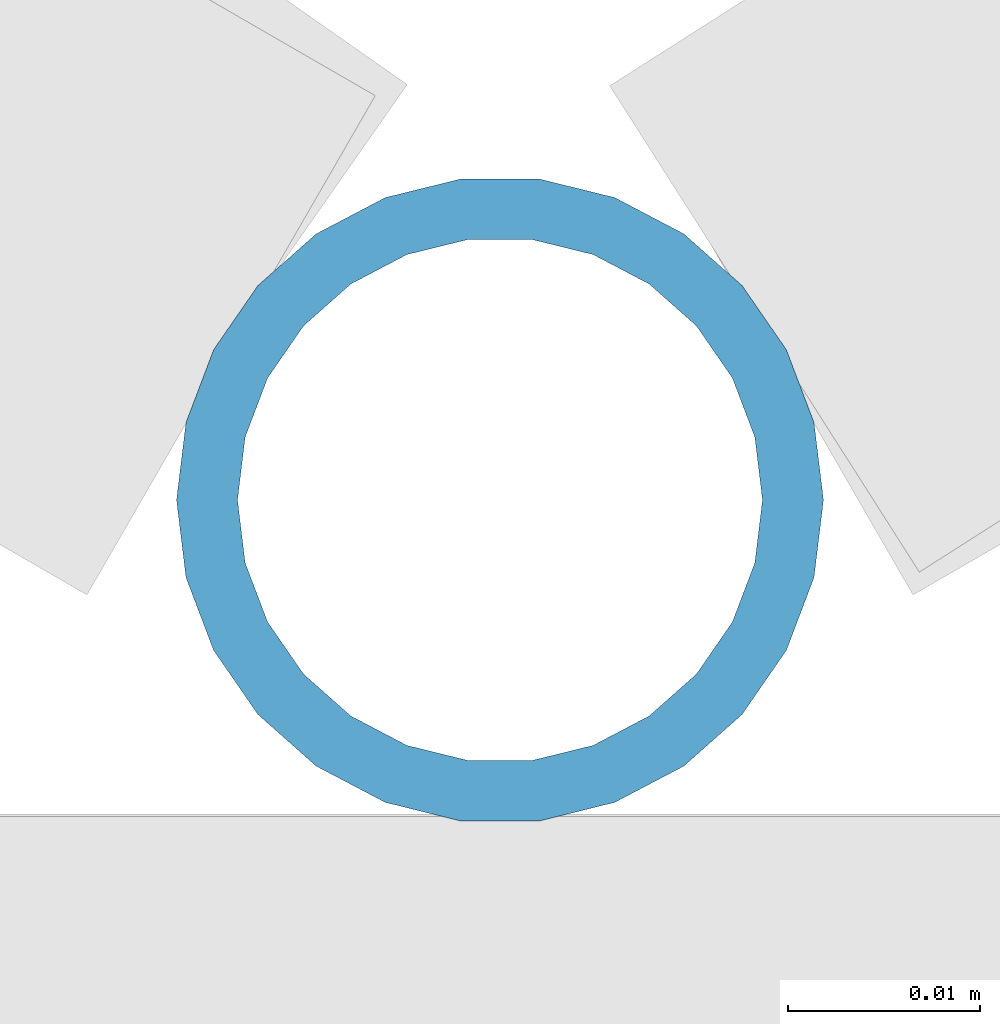
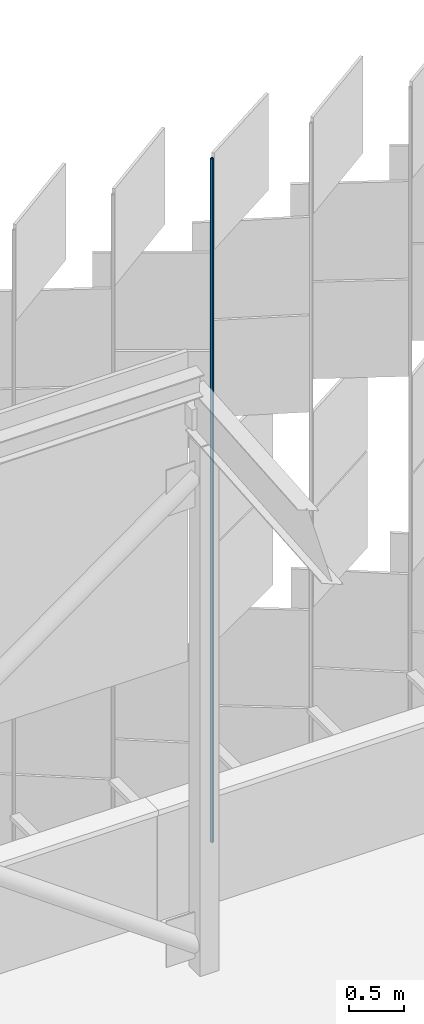
# One storey, part 381 of 483: 1 discrete accessory.
"""IFC4 building model written with IfcOpenShell, lengths in metres."""

import ifcopenshell
import ifcopenshell.guid

model = None  # the IFC model being written
_history = None  # IfcOwnerHistory: only IFC2X3 demands one
_inside = {}  # id of a spatial element -> (the spatial element, [elements in it])
_under = {}  # id of a project, library or spatial element -> (it, [spatial elements below it])
_declared = {}  # id of a project -> (the project, [libraries it declares])
_typed = {}  # id of a type object -> (the type object, [elements of that type])
_made_of = {}  # id of a material, layer set ... -> (it, [elements and type objects made of it])


def new_model(schema):
    """Start an empty IFC model of exactly this schema.

    Asked for "IFC4X3", IfcOpenShell would pick the latest addendum, in which some entities
    have other attributes; the version numbers below select the first issue.
    IFC2X3 requires an IfcOwnerHistory on every rooted entity: one is made here for all.
    """
    global model, _history
    if schema == "IFC4X3":
        model = ifcopenshell.file(schema_version=(4, 3, 0, 0))
    else:
        model = ifcopenshell.file(schema=schema)
    _inside.clear()
    _under.clear()
    _declared.clear()
    _typed.clear()
    _made_of.clear()
    _history = None
    if model.schema == "IFC2X3":
        org = make("IfcOrganization", Name="unknown")
        user = make(
            "IfcPersonAndOrganization",
            ThePerson=make("IfcPerson", FamilyName="unknown"),
            TheOrganization=org,
        )
        app = make(
            "IfcApplication",
            ApplicationDeveloper=org,
            Version="unknown",
            ApplicationFullName="unknown",
            ApplicationIdentifier="unknown",
        )
        _history = make(
            "IfcOwnerHistory",
            OwningUser=user,
            OwningApplication=app,
            ChangeAction="ADDED",
            CreationDate=0,
        )
    return model


def make(cls, **values):
    """One entity of the class cls with the attributes given. An attribute that is None is left unset."""
    return model.create_entity(
        cls, **{name: value for name, value in values.items() if value is not None}
    )


def rooted(cls, **values):
    """An entity with a GlobalId (a new one), such as an element, a storey or a relation."""
    return make(cls, GlobalId=ifcopenshell.guid.new(), OwnerHistory=_history, **values)


def si_unit(unit_type, name, prefix=None):
    """IfcSIUnit, for example si_unit("LENGTHUNIT", "METRE", prefix="MILLI")."""
    return make("IfcSIUnit", UnitType=unit_type, Prefix=prefix, Name=name)


def assignment(units):
    """IfcUnitAssignment: the units of a project."""
    return None if units is None else make("IfcUnitAssignment", Units=units)


def point(xyz):
    """IfcCartesianPoint."""
    return None if xyz is None else make("IfcCartesianPoint", Coordinates=xyz)


def direction(xyz):
    """IfcDirection."""
    return None if xyz is None else make("IfcDirection", DirectionRatios=xyz)


def frame(location, z_axis=None, x_axis=None):
    """IfcAxis2Placement3D, a coordinate frame: its origin and axes. An axis left out is left unset."""
    return make(
        "IfcAxis2Placement3D",
        Location=point(location),
        Axis=direction(z_axis),
        RefDirection=direction(x_axis),
    )


def frame_2d(location, x_axis=None):
    """IfcAxis2Placement2D, a coordinate frame in the plane: its origin and x axis."""
    return make(
        "IfcAxis2Placement2D", Location=point(location), RefDirection=direction(x_axis)
    )


def origin():
    """The frame at (0, 0, 0) with its axes left unset."""
    return frame((0.0, 0.0, 0.0))


def origin_2d():
    """The frame at (0, 0) in the plane with its x axis left unset."""
    return frame_2d((0.0, 0.0))


def place(relative_to, where):
    """IfcLocalPlacement: puts the frame where relative to a parent placement (None: the world)."""
    return make(
        "IfcLocalPlacement", PlacementRelTo=relative_to, RelativePlacement=where
    )


def context(
    kind, dimensions, precision=None, world=None, true_north=None, identifier=None
):
    """IfcGeometricRepresentationContext, for example the 3D "Model" context."""
    return make(
        "IfcGeometricRepresentationContext",
        ContextIdentifier=identifier,
        ContextType=kind,
        CoordinateSpaceDimension=dimensions,
        Precision=precision,
        WorldCoordinateSystem=world,
        TrueNorth=true_north,
    )


def subcontext(parent, identifier, kind, view, scale=None):
    """IfcGeometricRepresentationSubContext, for example "Body" below "Model"."""
    return make(
        "IfcGeometricRepresentationSubContext",
        ContextIdentifier=identifier,
        ContextType=kind,
        ParentContext=parent,
        TargetScale=scale,
        TargetView=view,
    )


def project(units=None, contexts=None):
    """IfcProject with its units and contexts."""
    return rooted(
        "IfcProject",
        Name="project",
        RepresentationContexts=contexts,
        UnitsInContext=assignment(units),
    )


def spatial(cls, under=None, at=None, **own):
    """A site, building, storey or space (cls), placed at a placement, below another one or the project."""
    s = rooted(cls, ObjectPlacement=at, **own)
    if under is not None:
        _under.setdefault(under.id(), (under, []))[1].append(s)
    return s


def profile(cls, at=None, kind="AREA", **sizes):
    """A parametric profile (cls). Its sizes go by their IFC names, for example OverallWidth=200.0."""
    return make(cls, ProfileType=kind, Position=at, **sizes)


def hollow_circle(**sizes):
    """IfcCircleHollowProfileDef."""
    return profile("IfcCircleHollowProfileDef", **sizes)


def extrude(swept, where, along, depth):
    """IfcExtrudedAreaSolid: the profile swept, set in the frame where, extruded along a direction by depth."""
    return make(
        "IfcExtrudedAreaSolid",
        SweptArea=swept,
        Position=where,
        ExtrudedDirection=direction(along),
        Depth=depth,
    )


def shape(context_of_items, identifier, shape_type, items):
    """IfcShapeRepresentation: the items that make up one representation, for example the "Body"."""
    return make(
        "IfcShapeRepresentation",
        ContextOfItems=context_of_items,
        RepresentationIdentifier=identifier,
        RepresentationType=shape_type,
        Items=items,
    )


def material(Name=None, Category=None):
    """IfcMaterial."""
    return make("IfcMaterial", Name=Name, Category=Category)


def material_profile(
    of_material, cross_section, Name=None, Category=None, Priority=None
):
    """IfcMaterialProfile: a cross section and its material."""
    return make(
        "IfcMaterialProfile",
        Name=Name,
        Material=of_material,
        Profile=cross_section,
        Priority=Priority,
        Category=Category,
    )


def profile_set(profiles, Name=None, composite=None):
    """IfcMaterialProfileSet."""
    return make(
        "IfcMaterialProfileSet",
        Name=Name,
        MaterialProfiles=profiles,
        CompositeProfile=composite,
    )


def made_of(thing, what):
    """Note that an element or type object is made of a material, layer set ...; save() writes the relation."""
    if what is not None:
        _made_of.setdefault(what.id(), (what, []))[1].append(thing)
    return thing


def type_object(cls, material=None, **own):
    """A type object (cls), such as IfcWallType, which elements share."""
    return made_of(rooted(cls, **own), material)


def element(
    cls,
    number,
    at=None,
    inside=None,
    cuts=None,
    type_object=None,
    material=None,
    context=None,
    identifier="Body",
    shape_type=None,
    held_by="IfcProductDefinitionShape",
    body=None,
    shapes=None,
    **own,
):
    """One element of the class cls, such as IfcWall. Its Tag is "e" and its number.

    at: its placement. inside: the storey or other place that contains it. cuts: it is an
    opening in that element (IfcRelVoidsElement). A single representation is given by context,
    identifier, shape_type and body (its items); several are given by shapes. held_by: the class
    of the entity that holds the representations. save() writes the other relations.
    """
    e = rooted(cls, Tag="e%d" % number, ObjectPlacement=at, **own)
    if body is not None:
        shapes = [shape(context, identifier, shape_type, body)]
    if shapes is not None:
        e.Representation = make(held_by, Representations=shapes)
    if inside is not None:
        _inside.setdefault(inside.id(), (inside, []))[1].append(e)
    if cuts is not None:
        rooted(
            "IfcRelVoidsElement", RelatingBuildingElement=cuts, RelatedOpeningElement=e
        )
    if type_object is not None:
        _typed.setdefault(type_object.id(), (type_object, []))[1].append(e)
    return made_of(e, material)


def aggregate(whole, parts):
    """IfcRelAggregates: a whole, such as a stair, and the parts it consists of."""
    return rooted("IfcRelAggregates", RelatingObject=whole, RelatedObjects=parts)


def save(model, path):
    """Write the relations noted so far, then the file.

    IfcRelAggregates (storeys below a building ...), IfcRelContainedInSpatialStructure (elements
    in a storey), IfcRelDefinesByType, IfcRelAssociatesMaterial and IfcRelDeclares: one each for
    every whole, place, type object, material and project.
    """
    for whole, parts in _under.values():
        aggregate(whole, parts)
    for where, things in _inside.values():
        rooted(
            "IfcRelContainedInSpatialStructure",
            RelatedElements=things,
            RelatingStructure=where,
        )
    for kind, things in _typed.values():
        rooted("IfcRelDefinesByType", RelatedObjects=things, RelatingType=kind)
    for what, things in _made_of.values():
        rooted("IfcRelAssociatesMaterial", RelatedObjects=things, RelatingMaterial=what)
    for by, libraries in _declared.values():
        rooted("IfcRelDeclares", RelatingContext=by, RelatedDefinitions=libraries)
    model.write(path)


model = new_model("IFC4")

# Units and contexts
model_context = context("Model", 3, precision=1e-05, world=origin(), true_north=direction((0.0, 1.0)))
body_context = subcontext(model_context, "Body", "Model", "MODEL_VIEW")
ifc_project = project(units=[si_unit("LENGTHUNIT", "METRE"), si_unit("AREAUNIT", "SQUARE_METRE"), si_unit("VOLUMEUNIT", "CUBIC_METRE"), si_unit("PLANEANGLEUNIT", "RADIAN"), si_unit("MASSUNIT", "GRAM", prefix="KILO")], contexts=[model_context])

# Site, building, storey
site_placement = place(None, origin())
site = spatial("IfcSite", under=ifc_project, at=site_placement, CompositionType="ELEMENT")
building_placement = place(site_placement, origin())
building = spatial("IfcBuilding", under=site, at=building_placement, Name="Parallax Yard Mobility Hub", CompositionType="ELEMENT")
storey_placement = place(building_placement, frame((0.0, 0.0, 13.199951171875)))
storey = spatial("IfcBuildingStorey", under=building, at=storey_placement, Name="L04", CompositionType="ELEMENT", Elevation=13.199951171875)

# Discrete accessory
ifc_material = material(Name="Steel ASTM A500 Gr C, hot-dip galvanised", Category="steel")
ifc_material_profile = material_profile(ifc_material, hollow_circle(Radius=0.016845703125, WallThickness=0.003173828125, at=origin_2d()), Name="CHS 33.7x3.2")
ifc_profile_set = profile_set([ifc_material_profile], Name="Steel ASTM A500 Gr C, hot-dip galvanised")
discrete_accessory_type = type_object("IfcDiscreteAccessoryType", Name="Hinge post CHS 33.7x3.2", PredefinedType="BRACKET", material=ifc_profile_set)
discrete_accessory_placement = place(storey_placement, frame((166.072509765625, 143.111328125, 0.0), z_axis=(0.0, 0.0, 1.0), x_axis=(1.0, 0.0, 0.0)))
element("IfcDiscreteAccessory", 1, at=discrete_accessory_placement, inside=storey, type_object=discrete_accessory_type, Name="Hinge post bay 51.7 level L04", PredefinedType="BRACKET", context=body_context, shape_type="SweptSolid", body=[
    extrude(hollow_circle(Radius=0.016845703125, WallThickness=0.003173828125, at=origin_2d()), origin(), (0.0, 0.0, 1.0), 7.650146484375),
])

save(model, "model.ifc")
